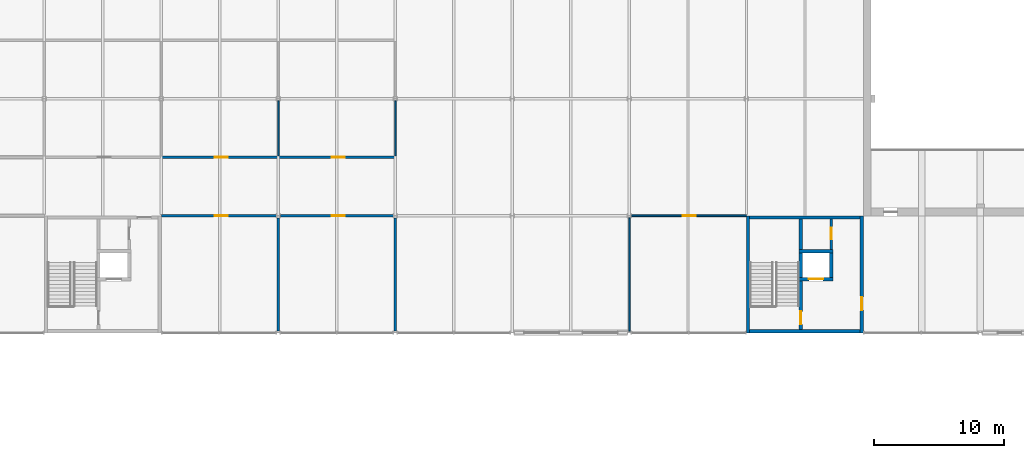
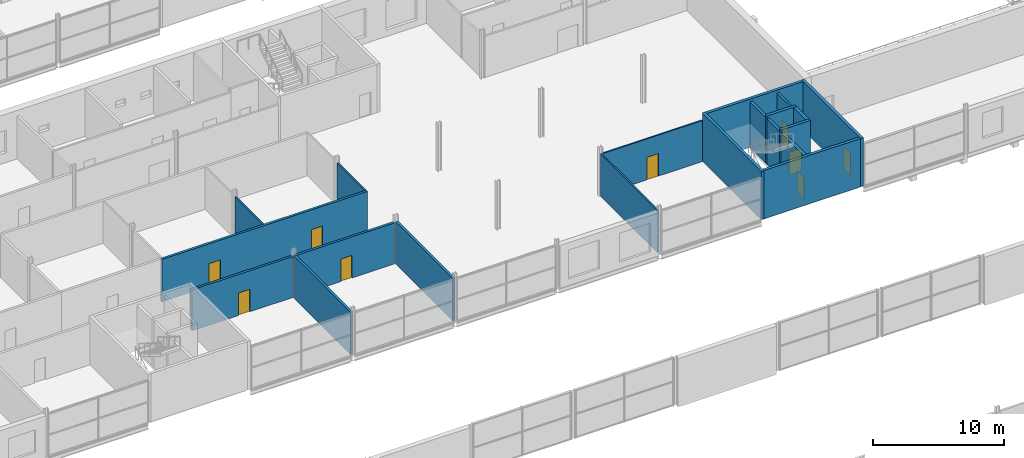
# One storey, part 70 of 97: 18 walls, 9 doors, 9 openings.
"""IFC4 building model written with IfcOpenShell, lengths in metres."""

from ifc_helpers import new_model, si_unit, direction, frame, frame_2d, origin, place, context, subcontext, project, spatial, rectangle, extrude, material, layer, layer_set, type_object, element, fill, save


model = new_model("IFC4")

# Units and contexts
model_context = context("Model", 3, precision=1e-05, world=origin(), true_north=direction((0.0, 1.0)))
body_context = subcontext(model_context, "Body", "Model", "MODEL_VIEW")
ifc_project = project(units=[si_unit("LENGTHUNIT", "METRE"), si_unit("AREAUNIT", "SQUARE_METRE"), si_unit("VOLUMEUNIT", "CUBIC_METRE"), si_unit("PLANEANGLEUNIT", "RADIAN"), si_unit("MASSUNIT", "GRAM", prefix="KILO")], contexts=[model_context])

# Site, building, storey
site_placement = place(None, origin())
site = spatial("IfcSite", under=ifc_project, at=site_placement, CompositionType="ELEMENT")
building_placement = place(site_placement, origin())
building = spatial("IfcBuilding", under=site, at=building_placement, Name="Corbel Yard City Hall", CompositionType="ELEMENT")
storey_placement = place(building_placement, frame((0.0, 0.0, 6.0)))
storey = spatial("IfcBuildingStorey", under=building, at=storey_placement, Name="L01", CompositionType="ELEMENT", Elevation=6.0)

# Wall
ifc_material_1 = material(Name="Concrete N50 (50 MPa)", Category="concrete")
ifc_layer_1 = layer(ifc_material_1, 0.25)
ifc_layer_set_1 = layer_set([ifc_layer_1], Name="Concrete N50 (50 MPa)")
wall_type_1 = type_object("IfcWallType", Name="Core cell wall 250", PredefinedType="SHEAR", material=ifc_layer_set_1)
wall_1_placement = place(storey_placement, frame((108.125, 45.0, 0.0), z_axis=(0.0, 0.0, 1.0), x_axis=(0.0, 1.0, 0.0)))
element("IfcWall", 1, at=wall_1_placement, inside=storey, type_object=wall_type_1, Name="Core PC-M3 west wall", PredefinedType="SHEAR", context=body_context, shape_type="SweptSolid", body=[
    extrude(rectangle(XDim=9.0, YDim=0.25, at=frame_2d((4.5, 0.0))), origin(), (0.0, 0.0, 1.0), 4.5),
])

# Wall, opening, door
wall_2_placement = place(storey_placement, frame((116.875, 45.0, 0.0), z_axis=(0.0, 0.0, 1.0), x_axis=(0.0, 1.0, 0.0)))
wall_2 = element("IfcWall", 2, at=wall_2_placement, inside=storey, type_object=wall_type_1, Name="Core PC-M3 east wall", PredefinedType="SHEAR", context=body_context, shape_type="SweptSolid", body=[
    extrude(rectangle(XDim=9.0, YDim=0.25, at=frame_2d((4.5, 0.0))), origin(), (0.0, 0.0, 1.0), 4.5),
])
opening_1_placement = place(wall_2_placement, frame((1.75, 0.0, 0.0)))
opening_1 = element("IfcOpeningElement", 3, at=opening_1_placement, cuts=wall_2, Name="Opening L01-097", PredefinedType="OPENING", context=body_context, shape_type="SweptSolid", body=[
    extrude(rectangle(XDim=1.0, YDim=2.10009765625, at=frame_2d((0.5, 1.050048828125))), frame((0.0, 0.135009765625, 0.0), z_axis=(0.0, -1.0, 0.0), x_axis=(1.0, 0.0, 0.0)), (0.0, 0.0, 1.0), 0.27001953125),
])
ifc_material_2 = material(Name="Steel Grade G250", Category="steel")
door_type_1 = type_object("IfcDoorType", Name="FS1", OperationType="SINGLE_SWING_LEFT", PredefinedType="DOOR", material=ifc_material_2)
door_1_placement = place(opening_1_placement, origin())
door_1 = element("IfcDoor", 4, at=door_1_placement, inside=storey, type_object=door_type_1, Name="Door Lift Lobby", OperationType="SINGLE_SWING_LEFT", OverallHeight=2.10009765625, OverallWidth=1.0, PredefinedType="DOOR", context=body_context, shape_type="SweptSolid", body=[
    extrude(rectangle(XDim=1.0, YDim=2.10009765625, at=frame_2d((0.5, 1.050048828125))), frame((0.0, 0.02490234375, 0.0), z_axis=(0.0, -1.0, 0.0), x_axis=(1.0, 0.0, 0.0)), (0.0, 0.0, 1.0), 0.050048828125),
])
fill(opening_1, door_1)

# Walls
for number, where, z_axis, x_axis, name in (
    (5, (108.25, 45.125, 0.0), (0.0, 0.0, 1.0), (1.0, 0.0, 0.0), "Core PC-M3 south wall"),
    (6, (108.25, 53.875, 0.0), (0.0, 0.0, 1.0), (1.0, 0.0, 0.0), "Core PC-M3 north wall"),
):
    element("IfcWall", number, at=place(storey_placement, frame(where, z_axis=z_axis, x_axis=x_axis)), inside=storey, type_object=wall_type_1, Name=name, PredefinedType="SHEAR", context=body_context, shape_type="SweptSolid", body=[
        extrude(rectangle(XDim=8.5, YDim=0.25, at=frame_2d((4.25, 0.0))), origin(), (0.0, 0.0, 1.0), 4.5),
    ])

# Wall, opening, door
ifc_material_3 = material(Name="Concrete N40 (40 MPa)", Category="concrete")
ifc_layer_2 = layer(ifc_material_3, 0.25)
ifc_layer_set_2 = layer_set([ifc_layer_2], Name="Concrete N40 (40 MPa)")
wall_type_2 = type_object("IfcWallType", Name="IW2", PredefinedType="SOLIDWALL", material=ifc_layer_set_2)
wall_3_placement = place(storey_placement, frame((112.175048828125, 45.25, 0.0), z_axis=(0.0, 0.0, 1.0), x_axis=(0.0, 1.0, 0.0)))
wall_3 = element("IfcWall", 7, at=wall_3_placement, inside=storey, type_object=wall_type_2, Name="Stair enclosure wall", PredefinedType="SOLIDWALL", context=body_context, shape_type="SweptSolid", body=[
    extrude(rectangle(XDim=8.5, YDim=0.25, at=frame_2d((4.25, 0.0))), origin(), (0.0, 0.0, 1.0), 4.25),
])
opening_2_placement = place(wall_3_placement, frame((0.39990234375, 0.0, 0.0)))
opening_2 = element("IfcOpeningElement", 8, at=opening_2_placement, cuts=wall_3, Name="Opening L01-096", PredefinedType="OPENING", context=body_context, shape_type="SweptSolid", body=[
    extrude(rectangle(XDim=1.0, YDim=2.10009765625, at=frame_2d((0.5, 1.050048828125))), frame((0.0, 0.135009765625, 0.0), z_axis=(0.0, -1.0, 0.0), x_axis=(1.0, 0.0, 0.0)), (0.0, 0.0, 1.0), 0.27001953125),
])
door_2_placement = place(opening_2_placement, origin())
door_2 = element("IfcDoor", 9, at=door_2_placement, inside=storey, type_object=door_type_1, Name="Door Exit Stair 10", OperationType="SINGLE_SWING_LEFT", OverallHeight=2.10009765625, OverallWidth=1.0, PredefinedType="DOOR", context=body_context, shape_type="SweptSolid", body=[
    extrude(rectangle(XDim=1.0, YDim=2.10009765625, at=frame_2d((0.5, 1.050048828125))), frame((0.0, 0.02490234375, 0.0), z_axis=(0.0, -1.0, 0.0), x_axis=(1.0, 0.0, 0.0)), (0.0, 0.0, 1.0), 0.050048828125),
])
fill(opening_2, door_2)

wall_4_placement = place(storey_placement, frame((112.050048828125, 49.125, 0.0), z_axis=(0.0, 0.0, 1.0), x_axis=(1.0, 0.0, 0.0)))
wall_4 = element("IfcWall", 10, at=wall_4_placement, inside=storey, type_object=wall_type_2, Name="Lift LP10 shaft wall", PredefinedType="SOLIDWALL", context=body_context, shape_type="SweptSolid", body=[
    extrude(rectangle(XDim=2.599853515625, YDim=0.25, at=frame_2d((1.2998046875, 0.0))), origin(), (0.0, 0.0, 1.0), 4.5),
])
opening_3_placement = place(wall_4_placement, frame((0.75, 0.0, 0.0)))
opening_3 = element("IfcOpeningElement", 11, at=opening_3_placement, cuts=wall_4, Name="Opening L01-052", PredefinedType="OPENING", context=body_context, shape_type="SweptSolid", body=[
    extrude(rectangle(XDim=1.10009765625, YDim=2.10009765625, at=frame_2d((0.550048828125, 1.050048828125))), frame((0.0, 0.135009765625, 0.0), z_axis=(0.0, -1.0, 0.0), x_axis=(1.0, 0.0, 0.0)), (0.0, 0.0, 1.0), 0.27001953125),
])
ifc_material_4 = material(Name="Stainless steel Grade 316", Category="steel")
door_type_2 = type_object("IfcDoorType", Name="LD1", OperationType="DOUBLE_DOOR_SLIDING", PredefinedType="DOOR", material=ifc_material_4)
door_3_placement = place(opening_3_placement, origin())
door_3 = element("IfcDoor", 12, at=door_3_placement, inside=storey, type_object=door_type_2, Name="Lift LP10 landing door", OperationType="DOUBLE_DOOR_SLIDING", OverallHeight=2.10009765625, OverallWidth=1.10009765625, PredefinedType="DOOR", context=body_context, shape_type="SweptSolid", body=[
    extrude(rectangle(XDim=1.10009765625, YDim=2.10009765625, at=frame_2d((0.550048828125, 1.050048828125))), frame((0.0, 0.02490234375, 0.0), z_axis=(0.0, -1.0, 0.0), x_axis=(1.0, 0.0, 0.0)), (0.0, 0.0, 1.0), 0.050048828125),
])
fill(opening_3, door_3)

# Walls
wall_5_placement = place(storey_placement, frame((112.050048828125, 51.27490234375, 0.0), z_axis=(0.0, 0.0, 1.0), x_axis=(1.0, 0.0, 0.0)))
element("IfcWall", 13, at=wall_5_placement, inside=storey, type_object=wall_type_2, Name="Lift LP10 shaft wall", PredefinedType="SOLIDWALL", context=body_context, shape_type="SweptSolid", body=[
    extrude(rectangle(XDim=2.599853515625, YDim=0.25, at=frame_2d((1.2998046875, 0.0))), origin(), (0.0, 0.0, 1.0), 4.5),
])
wall_6_placement = place(storey_placement, frame((114.52490234375, 49.25, 0.0), z_axis=(0.0, 0.0, 1.0), x_axis=(0.0, 1.0, 0.0)))
element("IfcWall", 14, at=wall_6_placement, inside=storey, type_object=wall_type_2, Name="Lift LP10 shaft wall", PredefinedType="SOLIDWALL", context=body_context, shape_type="SweptSolid", body=[
    extrude(rectangle(XDim=1.89990234375, YDim=0.25, at=frame_2d((0.949951171875, 0.0))), origin(), (0.0, 0.0, 1.0), 4.5),
])

# Wall, opening, door
ifc_material_5 = material(Name="Gypsum plasterboard", Category="gypsum")
ifc_layer_3 = layer(ifc_material_5, 0.028076171875)
ifc_material_6 = material(Name="Steel Grade G550 (550 MPa yield)", Category="steel")
ifc_layer_4 = layer(ifc_material_6, 0.06396484375)
ifc_layer_5 = layer(ifc_material_5, 0.028076171875)
ifc_layer_set_3 = layer_set([ifc_layer_3, ifc_layer_4, ifc_layer_5], Name="Steel Grade G550 (550 MPa yield)")
wall_type_3 = type_object("IfcWallType", Name="PT1", PredefinedType="PARTITIONING", material=ifc_layer_set_3)
wall_7_placement = place(storey_placement, frame((99.157470703125, 54.0, 0.0), z_axis=(0.0, 0.0, 1.0), x_axis=(1.0, 0.0, 0.0)))
wall_7 = element("IfcWall", 15, at=wall_7_placement, inside=storey, type_object=wall_type_3, Name="Partition", PredefinedType="PARTITIONING", context=body_context, shape_type="SweptSolid", body=[
    extrude(rectangle(XDim=8.842529296875, YDim=0.1201171875, at=frame_2d((4.42138671875, 0.0))), origin(), (0.0, 0.0, 1.0), 3.822021484375),
])
opening_4_placement = place(wall_7_placement, frame((3.9423828125, 0.0, 0.0)))
opening_4 = element("IfcOpeningElement", 16, at=opening_4_placement, cuts=wall_7, Name="Opening L01-102", PredefinedType="OPENING", context=body_context, shape_type="SweptSolid", body=[
    extrude(rectangle(XDim=1.0, YDim=2.10009765625, at=frame_2d((0.5, 1.050048828125))), frame((0.0, 0.070068359375, 0.0), z_axis=(0.0, -1.0, 0.0), x_axis=(1.0, 0.0, 0.0)), (0.0, 0.0, 1.0), 0.14013671875),
])
ifc_material_7 = material(Name="Timber", Category="wood")
door_type_3 = type_object("IfcDoorType", Name="D1", OperationType="SINGLE_SWING_LEFT", PredefinedType="DOOR", material=ifc_material_7)
door_4_placement = place(opening_4_placement, frame((1.0, 0.0, 0.0), z_axis=(0.0, 0.0, 1.0), x_axis=(-1.0, 0.0, 0.0)))
door_4 = element("IfcDoor", 17, at=door_4_placement, inside=storey, type_object=door_type_3, Name="Door Mayoral Robing Room and Cloakroom", OperationType="SINGLE_SWING_LEFT", OverallHeight=2.10009765625, OverallWidth=1.0, PredefinedType="DOOR", context=body_context, shape_type="SweptSolid", body=[
    extrude(rectangle(XDim=1.0, YDim=2.10009765625, at=frame_2d((0.5, 1.050048828125))), frame((0.0, 0.02490234375, 0.0), z_axis=(0.0, -1.0, 0.0), x_axis=(1.0, 0.0, 0.0)), (0.0, 0.0, 1.0), 0.050048828125),
])
fill(opening_4, door_4)

# Walls
for number, where, z_axis, x_axis, name in (
    (18, (72.0, 58.60009765625, 0.0), (0.0, 0.0, 1.0), (0.0, 1.0, 0.0), "Partition"),
    (19, (81.0, 58.60009765625, 0.0), (0.0, 0.0, 1.0), (0.0, 1.0, 0.0), "Partition"),
):
    element("IfcWall", number, at=place(storey_placement, frame(where, z_axis=z_axis, x_axis=x_axis)), inside=storey, type_object=wall_type_3, Name=name, PredefinedType="PARTITIONING", context=body_context, shape_type="SweptSolid", body=[
        extrude(rectangle(XDim=4.242431640625, YDim=0.1201171875, at=frame_2d((2.12109375, 0.0))), origin(), (0.0, 0.0, 1.0), 3.947021484375),
    ])
wall_8_placement = place(storey_placement, frame((99.0, 45.1298828125, 0.0), z_axis=(0.0, 0.0, 1.0), x_axis=(0.0, 1.0, 0.0)))
element("IfcWall", 20, at=wall_8_placement, inside=storey, type_object=wall_type_3, Name="Partition", PredefinedType="PARTITIONING", context=body_context, shape_type="SweptSolid", body=[
    extrude(rectangle(XDim=8.712646484375, YDim=0.1201171875, at=frame_2d((4.3564453125, 0.0))), origin(), (0.0, 0.0, 1.0), 3.947021484375),
])

# Wall, opening, door
ifc_layer_6 = layer(ifc_material_5, 0.031982421875)
ifc_layer_7 = layer(ifc_material_6, 0.135986328125)
ifc_layer_8 = layer(ifc_material_5, 0.031982421875)
ifc_layer_set_4 = layer_set([ifc_layer_6, ifc_layer_7, ifc_layer_8], Name="Steel Grade G550 (550 MPa yield)")
wall_type_4 = type_object("IfcWallType", Name="PT2", PredefinedType="PARTITIONING", material=ifc_layer_set_4)
wall_9_placement = place(storey_placement, frame((63.0, 54.0, 0.0), z_axis=(0.0, 0.0, 1.0), x_axis=(1.0, 0.0, 0.0)))
wall_9 = element("IfcWall", 21, at=wall_9_placement, inside=storey, type_object=wall_type_4, Name="Acoustic wall", PredefinedType="PARTITIONING", context=body_context, shape_type="SweptSolid", body=[
    extrude(rectangle(XDim=8.842529296875, YDim=0.199951171875, at=frame_2d((4.42138671875, 0.0))), origin(), (0.0, 0.0, 1.0), 3.822021484375),
])
opening_5_placement = place(wall_9_placement, frame((4.10009765625, 0.0, 0.0)))
opening_5 = element("IfcOpeningElement", 22, at=opening_5_placement, cuts=wall_9, Name="Opening L01-075", PredefinedType="OPENING", context=body_context, shape_type="SweptSolid", body=[
    extrude(rectangle(XDim=1.0, YDim=2.10009765625, at=frame_2d((0.5, 1.050048828125))), frame((0.0, 0.10986328125, 0.0), z_axis=(0.0, -1.0, 0.0), x_axis=(1.0, 0.0, 0.0)), (0.0, 0.0, 1.0), 0.219970703125),
])
door_5_placement = place(opening_5_placement, frame((1.0, 0.0, 0.0), z_axis=(0.0, 0.0, 1.0), x_axis=(-1.0, 0.0, 0.0)))
door_5 = element("IfcDoor", 23, at=door_5_placement, inside=storey, type_object=door_type_3, Name="Door Committee Room 11", OperationType="SINGLE_SWING_LEFT", OverallHeight=2.10009765625, OverallWidth=1.0, PredefinedType="DOOR", context=body_context, shape_type="SweptSolid", body=[
    extrude(rectangle(XDim=1.0, YDim=2.10009765625, at=frame_2d((0.5, 1.050048828125))), frame((0.0, 0.02490234375, 0.0), z_axis=(0.0, -1.0, 0.0), x_axis=(1.0, 0.0, 0.0)), (0.0, 0.0, 1.0), 0.050048828125),
])
fill(opening_5, door_5)

wall_10_placement = place(storey_placement, frame((72.157470703125, 54.0, 0.0), z_axis=(0.0, 0.0, 1.0), x_axis=(1.0, 0.0, 0.0)))
wall_10 = element("IfcWall", 24, at=wall_10_placement, inside=storey, type_object=wall_type_4, Name="Acoustic wall", PredefinedType="PARTITIONING", context=body_context, shape_type="SweptSolid", body=[
    extrude(rectangle(XDim=8.68505859375, YDim=0.199951171875, at=frame_2d((4.342529296875, 0.0))), origin(), (0.0, 0.0, 1.0), 3.822021484375),
])
opening_6_placement = place(wall_10_placement, frame((3.9423828125, 0.0, 0.0)))
opening_6 = element("IfcOpeningElement", 25, at=opening_6_placement, cuts=wall_10, Name="Opening L01-076", PredefinedType="OPENING", context=body_context, shape_type="SweptSolid", body=[
    extrude(rectangle(XDim=1.0, YDim=2.10009765625, at=frame_2d((0.5, 1.050048828125))), frame((0.0, 0.10986328125, 0.0), z_axis=(0.0, -1.0, 0.0), x_axis=(1.0, 0.0, 0.0)), (0.0, 0.0, 1.0), 0.219970703125),
])
door_6_placement = place(opening_6_placement, frame((1.0, 0.0, 0.0), z_axis=(0.0, 0.0, 1.0), x_axis=(-1.0, 0.0, 0.0)))
door_6 = element("IfcDoor", 26, at=door_6_placement, inside=storey, type_object=door_type_3, Name="Door Committee Room 12", OperationType="SINGLE_SWING_LEFT", OverallHeight=2.10009765625, OverallWidth=1.0, PredefinedType="DOOR", context=body_context, shape_type="SweptSolid", body=[
    extrude(rectangle(XDim=1.0, YDim=2.10009765625, at=frame_2d((0.5, 1.050048828125))), frame((0.0, 0.02490234375, 0.0), z_axis=(0.0, -1.0, 0.0), x_axis=(1.0, 0.0, 0.0)), (0.0, 0.0, 1.0), 0.050048828125),
])
fill(opening_6, door_6)

# Wall, openings, doors
wall_11_placement = place(storey_placement, frame((62.93994140625, 58.5, 0.0), z_axis=(0.0, 0.0, 1.0), x_axis=(1.0, 0.0, 0.0)))
wall_11 = element("IfcWall", 27, at=wall_11_placement, inside=storey, type_object=wall_type_4, Name="Acoustic wall", PredefinedType="PARTITIONING", context=body_context, shape_type="SweptSolid", body=[
    extrude(rectangle(XDim=18.1201171875, YDim=0.199951171875, at=frame_2d((9.06005859375, 0.0))), origin(), (0.0, 0.0, 1.0), 3.947021484375),
])
opening_7_placement = place(wall_11_placement, frame((4.159912109375, 0.0, 0.0)))
opening_7 = element("IfcOpeningElement", 28, at=opening_7_placement, cuts=wall_11, Name="Opening L01-084", PredefinedType="OPENING", context=body_context, shape_type="SweptSolid", body=[
    extrude(rectangle(XDim=1.0, YDim=2.10009765625, at=frame_2d((0.5, 1.050048828125))), frame((0.0, 0.10986328125, 0.0), z_axis=(0.0, -1.0, 0.0), x_axis=(1.0, 0.0, 0.0)), (0.0, 0.0, 1.0), 0.219970703125),
])
opening_8_placement = place(wall_11_placement, frame((13.159912109375, 0.0, 0.0)))
opening_8 = element("IfcOpeningElement", 29, at=opening_8_placement, cuts=wall_11, Name="Opening L01-085", PredefinedType="OPENING", context=body_context, shape_type="SweptSolid", body=[
    extrude(rectangle(XDim=1.0, YDim=2.10009765625, at=frame_2d((0.5, 1.050048828125))), frame((0.0, 0.10986328125, 0.0), z_axis=(0.0, -1.0, 0.0), x_axis=(1.0, 0.0, 0.0)), (0.0, 0.0, 1.0), 0.219970703125),
])
door_7_placement = place(opening_7_placement, origin())
door_7 = element("IfcDoor", 30, at=door_7_placement, inside=storey, type_object=door_type_3, Name="Door Mayoral Policy Office", OperationType="SINGLE_SWING_RIGHT", OverallHeight=2.10009765625, OverallWidth=1.0, PredefinedType="DOOR", context=body_context, shape_type="SweptSolid", body=[
    extrude(rectangle(XDim=1.0, YDim=2.10009765625, at=frame_2d((0.5, 1.050048828125))), frame((0.0, 0.02490234375, 0.0), z_axis=(0.0, -1.0, 0.0), x_axis=(1.0, 0.0, 0.0)), (0.0, 0.0, 1.0), 0.050048828125),
])
fill(opening_7, door_7)
door_8_placement = place(opening_8_placement, origin())
door_8 = element("IfcDoor", 31, at=door_8_placement, inside=storey, type_object=door_type_3, Name="Door Mayoral Staff Room", OperationType="SINGLE_SWING_RIGHT", OverallHeight=2.10009765625, OverallWidth=1.0, PredefinedType="DOOR", context=body_context, shape_type="SweptSolid", body=[
    extrude(rectangle(XDim=1.0, YDim=2.10009765625, at=frame_2d((0.5, 1.050048828125))), frame((0.0, 0.02490234375, 0.0), z_axis=(0.0, -1.0, 0.0), x_axis=(1.0, 0.0, 0.0)), (0.0, 0.0, 1.0), 0.050048828125),
])
fill(opening_8, door_8)

# Walls
for number, where, z_axis, x_axis, name in (
    (32, (72.0, 45.1298828125, 0.0), (0.0, 0.0, 1.0), (0.0, 1.0, 0.0), "Acoustic wall"),
    (33, (81.0, 45.1298828125, 0.0), (0.0, 0.0, 1.0), (0.0, 1.0, 0.0), "Acoustic wall"),
):
    element("IfcWall", number, at=place(storey_placement, frame(where, z_axis=z_axis, x_axis=x_axis)), inside=storey, type_object=wall_type_4, Name=name, PredefinedType="PARTITIONING", context=body_context, shape_type="SweptSolid", body=[
        extrude(rectangle(XDim=8.712646484375, YDim=0.199951171875, at=frame_2d((4.3564453125, 0.0))), origin(), (0.0, 0.0, 1.0), 3.947021484375),
    ])

# Wall, opening, door
ifc_material_8 = material(Name="Concrete block", Category="concrete")
ifc_layer_9 = layer(ifc_material_8, 0.18994140625)
ifc_layer_set_5 = layer_set([ifc_layer_9], Name="Concrete block")
wall_type_5 = type_object("IfcWallType", Name="PT4", PredefinedType="PARTITIONING", material=ifc_layer_set_5)
wall_12_placement = place(storey_placement, frame((114.52490234375, 51.39990234375, 0.0), z_axis=(0.0, 0.0, 1.0), x_axis=(0.0, 1.0, 0.0)))
wall_12 = element("IfcWall", 34, at=wall_12_placement, inside=storey, type_object=wall_type_5, Name="Fire-resisting block wall", PredefinedType="PARTITIONING", context=body_context, shape_type="SweptSolid", body=[
    extrude(rectangle(XDim=2.35009765625, YDim=0.18994140625, at=frame_2d((1.175048828125, 0.0))), origin(), (0.0, 0.0, 1.0), 4.25),
])
opening_9_placement = place(wall_12_placement, frame((0.777587890625, 0.0, 0.0)))
opening_9 = element("IfcOpeningElement", 35, at=opening_9_placement, cuts=wall_12, Name="Opening L01-098", PredefinedType="OPENING", context=body_context, shape_type="SweptSolid", body=[
    extrude(rectangle(XDim=0.919921875, YDim=2.10009765625, at=frame_2d((0.4599609375, 1.050048828125))), frame((0.0, 0.10498046875, 0.0), z_axis=(0.0, -1.0, 0.0), x_axis=(1.0, 0.0, 0.0)), (0.0, 0.0, 1.0), 0.2099609375),
])
door_type_4 = type_object("IfcDoorType", Name="FS5", OperationType="SINGLE_SWING_RIGHT", PredefinedType="DOOR", material=ifc_material_2)
door_9_placement = place(opening_9_placement, origin())
door_9 = element("IfcDoor", 36, at=door_9_placement, inside=storey, type_object=door_type_4, Name="Door Service Riser", OperationType="SINGLE_SWING_RIGHT", OverallHeight=2.10009765625, OverallWidth=0.919921875, PredefinedType="DOOR", context=body_context, shape_type="SweptSolid", body=[
    extrude(rectangle(XDim=0.919921875, YDim=2.10009765625, at=frame_2d((0.4599609375, 1.050048828125))), frame((0.0, 0.02490234375, 0.0), z_axis=(0.0, -1.0, 0.0), x_axis=(1.0, 0.0, 0.0)), (0.0, 0.0, 1.0), 0.050048828125),
])
fill(opening_9, door_9)

save(model, "model.ifc")
